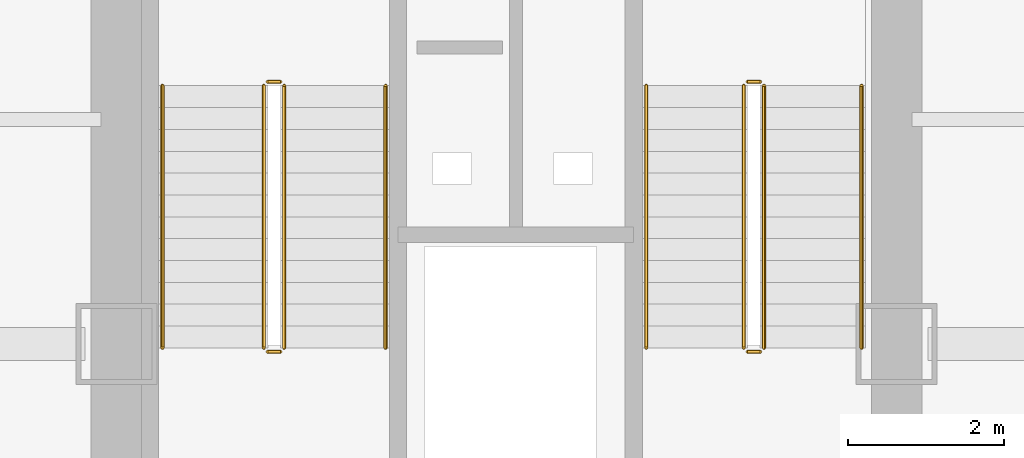
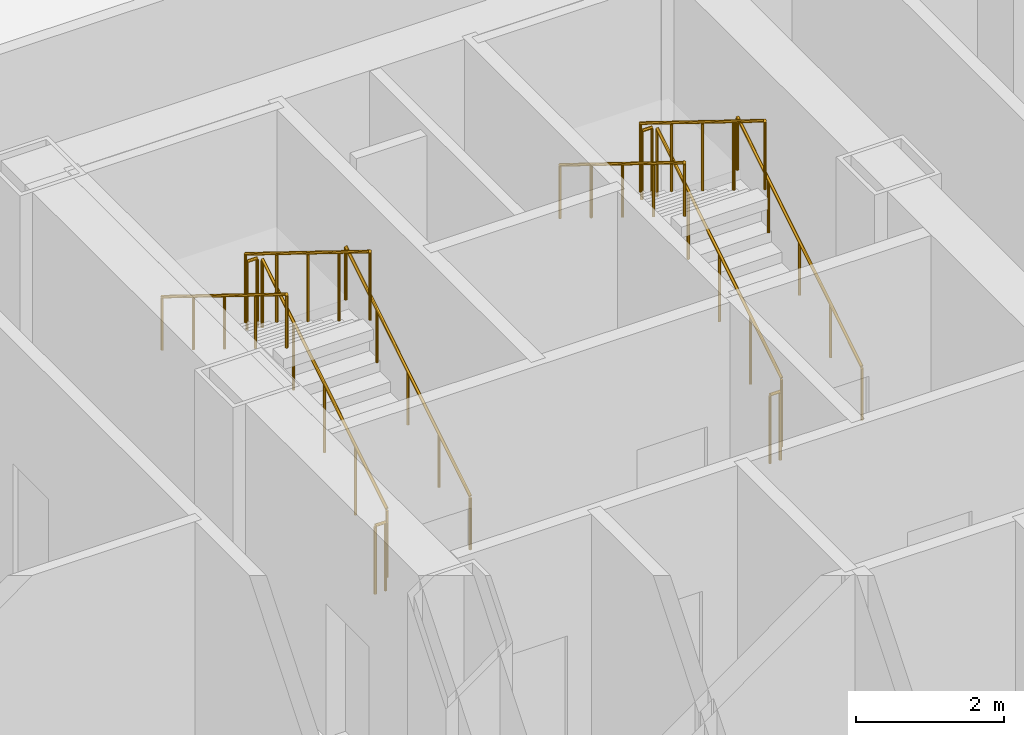
# One storey, part 25 of 26: 12 railings.
"""IFC4 building model written with IfcOpenShell, lengths in metres."""

from ifc_helpers import new_model, si_unit, direction, frame, origin, origin_2d, place, context, subcontext, project, spatial, circle, extrude, material, type_object, element, save


model = new_model("IFC4")

# Units and contexts
model_context = context("Model", 3, precision=1e-05, world=origin(), true_north=direction((0.0, 1.0)))
body_context = subcontext(model_context, "Body", "Model", "MODEL_VIEW")
ifc_project = project(units=[si_unit("LENGTHUNIT", "METRE"), si_unit("AREAUNIT", "SQUARE_METRE"), si_unit("VOLUMEUNIT", "CUBIC_METRE"), si_unit("PLANEANGLEUNIT", "RADIAN"), si_unit("MASSUNIT", "GRAM", prefix="KILO")], contexts=[model_context])

# Site, building, storey
site_placement = place(None, origin())
site = spatial("IfcSite", under=ifc_project, at=site_placement, CompositionType="ELEMENT")
building_placement = place(site_placement, origin())
building = spatial("IfcBuilding", under=site, at=building_placement, Name="Kolveth Station Tower", CompositionType="ELEMENT")
storey_placement = place(building_placement, frame((0.0, 0.0, 4.5)))
storey = spatial("IfcBuildingStorey", under=building, at=storey_placement, Name="L01", CompositionType="ELEMENT", Elevation=4.5)

# Railings
ifc_material_1 = material(Name="Painted Steel S355 balustrade", Category="steel")
railing_type_1 = type_object("IfcRailingType", Name="Guard_GR2", PredefinedType="BALUSTRADE", material=ifc_material_1)
railing_1_placement = place(storey_placement, frame((20.64990234375, 22.949951171875, 0.173095703125)))
element("IfcRailing", 1, at=railing_1_placement, inside=storey, type_object=railing_type_1, Name="L01 ST1 stair guard 1", PredefinedType="BALUSTRADE", context=body_context, shape_type="SweptSolid", body=[
    extrude(circle(Radius=0.02392578125, at=origin_2d()), frame((0.0, 0.0, 1.1259765625), z_axis=(0.0, 0.850623216509, 0.525775754039), x_axis=(-1.0, 0.0, 0.0)), (0.0, 0.0, 1.0), 3.9501953125),
    extrude(circle(Radius=0.02099609375, at=origin_2d()), origin(), (0.0, 0.0, 1.0), 1.101806640625),
    extrude(circle(Radius=0.02099609375, at=origin_2d()), frame((0.0, 0.840087890625, 0.519287109375)), (0.0, 0.0, 1.0), 1.101806640625),
    extrude(circle(Radius=0.02099609375, at=origin_2d()), frame((0.0, 1.68017578125, 1.03857421875)), (0.0, 0.0, 1.0), 1.101806640625),
    extrude(circle(Radius=0.02099609375, at=origin_2d()), frame((0.0, 2.52001953125, 1.5576171875)), (0.0, 0.0, 1.0), 1.101806640625),
    extrude(circle(Radius=0.02099609375, at=origin_2d()), frame((0.0, 3.360107421875, 2.076904296875)), (0.0, 0.0, 1.0), 1.101806640625),
])
railing_2_placement = place(storey_placement, frame((20.60009765625, 26.360107421875, 2.25)))
element("IfcRailing", 2, at=railing_2_placement, inside=storey, type_object=railing_type_1, Name="L01 ST1 stair guard 2", PredefinedType="BALUSTRADE", context=body_context, shape_type="SweptSolid", body=[
    extrude(circle(Radius=0.02392578125, at=origin_2d()), frame((0.0, 0.0, 1.1259765625), z_axis=(-1.0, 0.0, 0.0), x_axis=(0.0, -1.0, 0.0)), (0.0, 0.0, 1.0), 0.16015625),
    extrude(circle(Radius=0.02099609375, at=origin_2d()), origin(), (0.0, 0.0, 1.0), 1.101806640625),
    extrude(circle(Radius=0.02099609375, at=origin_2d()), frame((-0.16015625, 0.0, 0.0)), (0.0, 0.0, 1.0), 1.101806640625),
])
railing_3_placement = place(storey_placement, frame((20.389892578125, 26.31005859375, 2.423095703125)))
element("IfcRailing", 3, at=railing_3_placement, inside=storey, type_object=railing_type_1, Name="L01 ST1 stair guard 3", PredefinedType="BALUSTRADE", context=body_context, shape_type="SweptSolid", body=[
    extrude(circle(Radius=0.02392578125, at=origin_2d()), frame((0.0, 0.0, 1.1259765625), z_axis=(0.0, -0.850623216509, 0.525775754039), x_axis=(1.0, 0.0, 0.0)), (0.0, 0.0, 1.0), 3.9501953125),
    extrude(circle(Radius=0.02099609375, at=origin_2d()), origin(), (0.0, 0.0, 1.0), 1.101806640625),
    extrude(circle(Radius=0.02099609375, at=origin_2d()), frame((0.0, -0.840087890625, 0.519287109375)), (0.0, 0.0, 1.0), 1.101806640625),
    extrude(circle(Radius=0.02099609375, at=origin_2d()), frame((0.0, -1.68017578125, 1.03857421875)), (0.0, 0.0, 1.0), 1.101806640625),
    extrude(circle(Radius=0.02099609375, at=origin_2d()), frame((0.0, -2.52001953125, 1.5576171875)), (0.0, 0.0, 1.0), 1.101806640625),
    extrude(circle(Radius=0.02099609375, at=origin_2d()), frame((0.0, -3.360107421875, 2.076904296875)), (0.0, 0.0, 1.0), 1.101806640625),
])
railing_4_placement = place(storey_placement, frame((20.60009765625, 22.89990234375, 0.0)))
element("IfcRailing", 4, at=railing_4_placement, inside=storey, type_object=railing_type_1, Name="L01 ST1 stair guard 4", PredefinedType="BALUSTRADE", context=body_context, shape_type="SweptSolid", body=[
    extrude(circle(Radius=0.02392578125, at=origin_2d()), frame((0.0, 0.0, 1.1259765625), z_axis=(-1.0, 0.0, 0.0), x_axis=(0.0, -1.0, 0.0)), (0.0, 0.0, 1.0), 0.16015625),
    extrude(circle(Radius=0.02099609375, at=origin_2d()), origin(), (0.0, 0.0, 1.0), 1.101806640625),
    extrude(circle(Radius=0.02099609375, at=origin_2d()), frame((-0.16015625, 0.0, 0.0)), (0.0, 0.0, 1.0), 1.101806640625),
])
railing_5_placement = place(storey_placement, frame((26.800048828125, 22.949951171875, 0.173095703125)))
element("IfcRailing", 5, at=railing_5_placement, inside=storey, type_object=railing_type_1, Name="L01 ST2 stair guard 1", PredefinedType="BALUSTRADE", context=body_context, shape_type="SweptSolid", body=[
    extrude(circle(Radius=0.02392578125, at=origin_2d()), frame((0.0, 0.0, 1.1259765625), z_axis=(0.0, 0.850623216509, 0.525775754039), x_axis=(-1.0, 0.0, 0.0)), (0.0, 0.0, 1.0), 3.9501953125),
    extrude(circle(Radius=0.02099609375, at=origin_2d()), origin(), (0.0, 0.0, 1.0), 1.101806640625),
    extrude(circle(Radius=0.02099609375, at=origin_2d()), frame((0.0, 0.840087890625, 0.519287109375)), (0.0, 0.0, 1.0), 1.101806640625),
    extrude(circle(Radius=0.02099609375, at=origin_2d()), frame((0.0, 1.68017578125, 1.03857421875)), (0.0, 0.0, 1.0), 1.101806640625),
    extrude(circle(Radius=0.02099609375, at=origin_2d()), frame((0.0, 2.52001953125, 1.5576171875)), (0.0, 0.0, 1.0), 1.101806640625),
    extrude(circle(Radius=0.02099609375, at=origin_2d()), frame((0.0, 3.360107421875, 2.076904296875)), (0.0, 0.0, 1.0), 1.101806640625),
])
railing_6_placement = place(storey_placement, frame((26.75, 26.360107421875, 2.25)))
element("IfcRailing", 6, at=railing_6_placement, inside=storey, type_object=railing_type_1, Name="L01 ST2 stair guard 2", PredefinedType="BALUSTRADE", context=body_context, shape_type="SweptSolid", body=[
    extrude(circle(Radius=0.02392578125, at=origin_2d()), frame((0.0, 0.0, 1.1259765625), z_axis=(-1.0, 0.0, 0.0), x_axis=(0.0, -1.0, 0.0)), (0.0, 0.0, 1.0), 0.159912109375),
    extrude(circle(Radius=0.02099609375, at=origin_2d()), origin(), (0.0, 0.0, 1.0), 1.101806640625),
    extrude(circle(Radius=0.02099609375, at=origin_2d()), frame((-0.159912109375, 0.0, 0.0)), (0.0, 0.0, 1.0), 1.101806640625),
])
railing_7_placement = place(storey_placement, frame((26.5400390625, 26.31005859375, 2.423095703125)))
element("IfcRailing", 7, at=railing_7_placement, inside=storey, type_object=railing_type_1, Name="L01 ST2 stair guard 3", PredefinedType="BALUSTRADE", context=body_context, shape_type="SweptSolid", body=[
    extrude(circle(Radius=0.02392578125, at=origin_2d()), frame((0.0, 0.0, 1.1259765625), z_axis=(0.0, -0.850623216509, 0.525775754039), x_axis=(1.0, 0.0, 0.0)), (0.0, 0.0, 1.0), 3.9501953125),
    extrude(circle(Radius=0.02099609375, at=origin_2d()), origin(), (0.0, 0.0, 1.0), 1.101806640625),
    extrude(circle(Radius=0.02099609375, at=origin_2d()), frame((0.0, -0.840087890625, 0.519287109375)), (0.0, 0.0, 1.0), 1.101806640625),
    extrude(circle(Radius=0.02099609375, at=origin_2d()), frame((0.0, -1.68017578125, 1.03857421875)), (0.0, 0.0, 1.0), 1.101806640625),
    extrude(circle(Radius=0.02099609375, at=origin_2d()), frame((0.0, -2.52001953125, 1.5576171875)), (0.0, 0.0, 1.0), 1.101806640625),
    extrude(circle(Radius=0.02099609375, at=origin_2d()), frame((0.0, -3.360107421875, 2.076904296875)), (0.0, 0.0, 1.0), 1.101806640625),
])
railing_8_placement = place(storey_placement, frame((26.75, 22.89990234375, 0.0)))
element("IfcRailing", 8, at=railing_8_placement, inside=storey, type_object=railing_type_1, Name="L01 ST2 stair guard 4", PredefinedType="BALUSTRADE", context=body_context, shape_type="SweptSolid", body=[
    extrude(circle(Radius=0.02392578125, at=origin_2d()), frame((0.0, 0.0, 1.1259765625), z_axis=(-1.0, 0.0, 0.0), x_axis=(0.0, -1.0, 0.0)), (0.0, 0.0, 1.0), 0.159912109375),
    extrude(circle(Radius=0.02099609375, at=origin_2d()), origin(), (0.0, 0.0, 1.0), 1.101806640625),
    extrude(circle(Radius=0.02099609375, at=origin_2d()), frame((-0.159912109375, 0.0, 0.0)), (0.0, 0.0, 1.0), 1.101806640625),
])
ifc_material_2 = material(Name="Brushed stainless steel", Category="steel")
railing_type_2 = type_object("IfcRailingType", Name="Handrail_HR1", PredefinedType="HANDRAIL", material=ifc_material_2)
railing_9_placement = place(storey_placement, frame((21.949951171875, 22.949951171875, 0.173095703125)))
element("IfcRailing", 9, at=railing_9_placement, inside=storey, type_object=railing_type_2, Name="L01 ST1 stair handrail 1", PredefinedType="HANDRAIL", context=body_context, shape_type="SweptSolid", body=[
    extrude(circle(Radius=0.02392578125, at=origin_2d()), frame((0.0, 0.0, 0.8759765625), z_axis=(0.0, 0.850623216509, 0.525775754039), x_axis=(-1.0, 0.0, 0.0)), (0.0, 0.0, 1.0), 3.9501953125),
    extrude(circle(Radius=0.02099609375, at=origin_2d()), origin(), (0.0, 0.0, 1.0), 0.851806640625),
    extrude(circle(Radius=0.02099609375, at=origin_2d()), frame((0.0, 0.840087890625, 0.519287109375)), (0.0, 0.0, 1.0), 0.851806640625),
    extrude(circle(Radius=0.02099609375, at=origin_2d()), frame((0.0, 1.68017578125, 1.03857421875)), (0.0, 0.0, 1.0), 0.851806640625),
    extrude(circle(Radius=0.02099609375, at=origin_2d()), frame((0.0, 2.52001953125, 1.5576171875)), (0.0, 0.0, 1.0), 0.851806640625),
    extrude(circle(Radius=0.02099609375, at=origin_2d()), frame((0.0, 3.360107421875, 2.076904296875)), (0.0, 0.0, 1.0), 0.851806640625),
])
railing_10_placement = place(storey_placement, frame((19.090087890625, 26.31005859375, 2.423095703125)))
element("IfcRailing", 10, at=railing_10_placement, inside=storey, type_object=railing_type_2, Name="L01 ST1 stair handrail 2", PredefinedType="HANDRAIL", context=body_context, shape_type="SweptSolid", body=[
    extrude(circle(Radius=0.02392578125, at=origin_2d()), frame((0.0, 0.0, 0.8759765625), z_axis=(0.0, -0.850623216509, 0.525775754039), x_axis=(1.0, 0.0, 0.0)), (0.0, 0.0, 1.0), 3.9501953125),
    extrude(circle(Radius=0.02099609375, at=origin_2d()), origin(), (0.0, 0.0, 1.0), 0.851806640625),
    extrude(circle(Radius=0.02099609375, at=origin_2d()), frame((0.0, -0.840087890625, 0.519287109375)), (0.0, 0.0, 1.0), 0.851806640625),
    extrude(circle(Radius=0.02099609375, at=origin_2d()), frame((0.0, -1.68017578125, 1.03857421875)), (0.0, 0.0, 1.0), 0.851806640625),
    extrude(circle(Radius=0.02099609375, at=origin_2d()), frame((0.0, -2.52001953125, 1.5576171875)), (0.0, 0.0, 1.0), 0.851806640625),
    extrude(circle(Radius=0.02099609375, at=origin_2d()), frame((0.0, -3.360107421875, 2.076904296875)), (0.0, 0.0, 1.0), 0.851806640625),
])
railing_11_placement = place(storey_placement, frame((28.050048828125, 22.949951171875, 0.173095703125)))
element("IfcRailing", 11, at=railing_11_placement, inside=storey, type_object=railing_type_2, Name="L01 ST2 stair handrail 1", PredefinedType="HANDRAIL", context=body_context, shape_type="SweptSolid", body=[
    extrude(circle(Radius=0.02392578125, at=origin_2d()), frame((0.0, 0.0, 0.8759765625), z_axis=(0.0, 0.850623216509, 0.525775754039), x_axis=(-1.0, 0.0, 0.0)), (0.0, 0.0, 1.0), 3.9501953125),
    extrude(circle(Radius=0.02099609375, at=origin_2d()), origin(), (0.0, 0.0, 1.0), 0.851806640625),
    extrude(circle(Radius=0.02099609375, at=origin_2d()), frame((0.0, 0.840087890625, 0.519287109375)), (0.0, 0.0, 1.0), 0.851806640625),
    extrude(circle(Radius=0.02099609375, at=origin_2d()), frame((0.0, 1.68017578125, 1.03857421875)), (0.0, 0.0, 1.0), 0.851806640625),
    extrude(circle(Radius=0.02099609375, at=origin_2d()), frame((0.0, 2.52001953125, 1.5576171875)), (0.0, 0.0, 1.0), 0.851806640625),
    extrude(circle(Radius=0.02099609375, at=origin_2d()), frame((0.0, 3.360107421875, 2.076904296875)), (0.0, 0.0, 1.0), 0.851806640625),
])
railing_12_placement = place(storey_placement, frame((25.2900390625, 26.31005859375, 2.423095703125)))
element("IfcRailing", 12, at=railing_12_placement, inside=storey, type_object=railing_type_2, Name="L01 ST2 stair handrail 2", PredefinedType="HANDRAIL", context=body_context, shape_type="SweptSolid", body=[
    extrude(circle(Radius=0.02392578125, at=origin_2d()), frame((0.0, 0.0, 0.8759765625), z_axis=(0.0, -0.850623216509, 0.525775754039), x_axis=(1.0, 0.0, 0.0)), (0.0, 0.0, 1.0), 3.9501953125),
    extrude(circle(Radius=0.02099609375, at=origin_2d()), origin(), (0.0, 0.0, 1.0), 0.851806640625),
    extrude(circle(Radius=0.02099609375, at=origin_2d()), frame((0.0, -0.840087890625, 0.519287109375)), (0.0, 0.0, 1.0), 0.851806640625),
    extrude(circle(Radius=0.02099609375, at=origin_2d()), frame((0.0, -1.68017578125, 1.03857421875)), (0.0, 0.0, 1.0), 0.851806640625),
    extrude(circle(Radius=0.02099609375, at=origin_2d()), frame((0.0, -2.52001953125, 1.5576171875)), (0.0, 0.0, 1.0), 0.851806640625),
    extrude(circle(Radius=0.02099609375, at=origin_2d()), frame((0.0, -3.360107421875, 2.076904296875)), (0.0, 0.0, 1.0), 0.851806640625),
])

save(model, "model.ifc")
